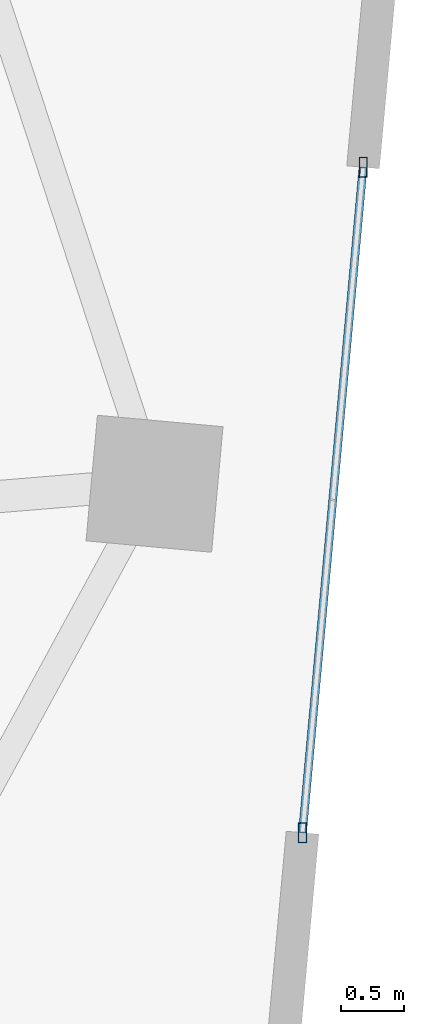
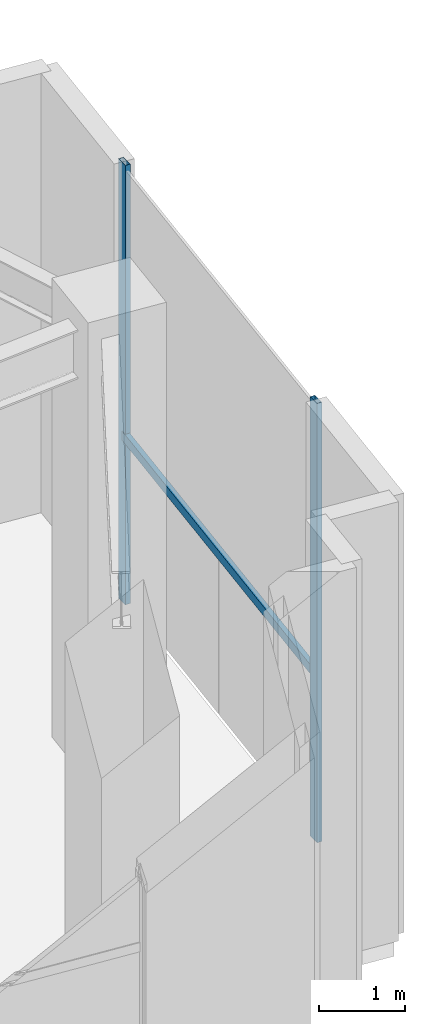
# One storey, part 10 of 14: 3 members, 1 element without a shape of its own.
"""IFC4 building model written with IfcOpenShell, lengths in metres."""

from ifc_helpers import new_model, si_unit, direction, frame, origin, origin_2d, place, context, subcontext, project, spatial, hollow_rectangle, extrude, source, transform, mapped, material, material_profile, profile_set, type_object, type_shapes, element, aggregate, save


model = new_model("IFC4")

# Units and contexts
model_context = context("Model", 3, precision=1e-05, world=origin(), true_north=direction((0.0, 1.0)))
body_context = subcontext(model_context, "Body", "Model", "MODEL_VIEW")
ifc_project = project(units=[si_unit("LENGTHUNIT", "METRE"), si_unit("AREAUNIT", "SQUARE_METRE"), si_unit("VOLUMEUNIT", "CUBIC_METRE"), si_unit("PLANEANGLEUNIT", "RADIAN"), si_unit("MASSUNIT", "GRAM", prefix="KILO")], contexts=[model_context])

# Site, building, storey
site_placement = place(None, origin())
site = spatial("IfcSite", under=ifc_project, at=site_placement, CompositionType="ELEMENT")
building_placement = place(site_placement, origin())
building = spatial("IfcBuilding", under=site, at=building_placement, Name="Astriad Promenade Condominiums", CompositionType="ELEMENT")
storey_placement = place(building_placement, frame((0.0, 0.0, 270.800048828125)))
storey = spatial("IfcBuildingStorey", under=building, at=storey_placement, Name="L77", CompositionType="ELEMENT", Elevation=270.800048828125)

# Curtain wall, members
ifc_material_1 = material(Name="Anodised aluminium Black Dark Glass Unitised", Category="aluminium")
curtain_wall_type = type_object("IfcCurtainWallType", Name="CW-TMD-LANTERN", PredefinedType="USERDEFINED", material=ifc_material_1)
curtain_wall_placement = place(storey_placement, origin())
curtain_wall = element("IfcCurtainWall", 1, at=curtain_wall_placement, inside=storey, type_object=curtain_wall_type, Name="CW-LNT-L77-13-1", ObjectType="UNITISED_CURTAIN_WALL", PredefinedType="USERDEFINED")
ifc_material_2 = material(Name="Anodised aluminium 6063-T6 Black", Category="aluminium")
ifc_material_profile_1 = material_profile(ifc_material_2, hollow_rectangle(XDim=0.06494140625, YDim=0.1298828125, WallThickness=0.00390625, at=origin_2d()), Name="ALU-TRN-65X130")
ifc_profile_set_1 = profile_set([ifc_material_profile_1], Name="Anodised aluminium 6063-T6 Black")
member_type_1 = type_object("IfcMemberType", Name="TRN-ALU-TRN-65X130", PredefinedType="USERDEFINED", material=ifc_profile_set_1)
shared_shape_1 = source(origin(), body_context, "Body", "SweptSolid", [
    extrude(hollow_rectangle(XDim=0.06494140625, YDim=0.1298828125, WallThickness=0.00390625, at=origin_2d()), origin(), (0.0, 0.0, 1.0), 5.300048828125),
])
type_shapes(member_type_1, [shared_shape_1])
member_1_placement = place(storey_placement, frame((51.97021484375, 20.29833984375, 2.349853515625), z_axis=(-0.090652035688, -0.995882627836, 0.0), x_axis=(0.995882627836, -0.090652035688, 0.0)))
member_1 = element("IfcMember", 2, at=member_1_placement, type_object=member_type_1, Name="CW-LNT-L77-13-1-TRN-00-0", ObjectType="TRANSOM", PredefinedType="USERDEFINED", context=body_context, shape_type="MappedRepresentation", body=[
    mapped(shared_shape_1, transform((0.0, 0.0, 0.0), scale=1.0)),
])
ifc_material_profile_2 = material_profile(ifc_material_2, hollow_rectangle(XDim=0.06494140625, YDim=0.159912109375, WallThickness=0.00390625, at=origin_2d()), Name="ALU-MUL-65X160")
ifc_profile_set_2 = profile_set([ifc_material_profile_2], Name="Anodised aluminium 6063-T6 Black")
member_type_2 = type_object("IfcMemberType", Name="MUL-ALU-MUL-65X160", PredefinedType="MULLION", material=ifc_profile_set_2)
shared_shape_2 = source(origin(), body_context, "Body", "SweptSolid", [
    extrude(hollow_rectangle(XDim=0.06494140625, YDim=0.159912109375, WallThickness=0.00390625, at=origin_2d()), origin(), (0.0, 0.0, 1.0), 6.219970703125),
])
type_shapes(member_type_2, [shared_shape_2])
member_2_placement = place(storey_placement, frame((51.97021484375, 20.29833984375, 0.0), z_axis=(0.0, 0.0, 1.0), x_axis=(1.0, 0.0, 0.0)))
member_2 = element("IfcMember", 3, at=member_2_placement, type_object=member_type_2, Name="CW-LNT-L77-13-1-MUL-00", PredefinedType="MULLION", context=body_context, shape_type="MappedRepresentation", body=[
    mapped(shared_shape_2, transform((0.0, 0.0, 0.0), scale=1.0)),
])
member_3_placement = place(storey_placement, frame((51.48974609375, 15.02001953125, 0.0), z_axis=(0.0, 0.0, 1.0), x_axis=(1.0, 0.0, 0.0)))
member_3 = element("IfcMember", 4, at=member_3_placement, type_object=member_type_2, Name="CW-LNT-L77-13-1-MUL-01", PredefinedType="MULLION", context=body_context, shape_type="MappedRepresentation", body=[
    mapped(shared_shape_2, transform((0.0, 0.0, 0.0), scale=1.0)),
])
aggregate(curtain_wall, [member_2, member_3, member_1])

save(model, "model.ifc")
